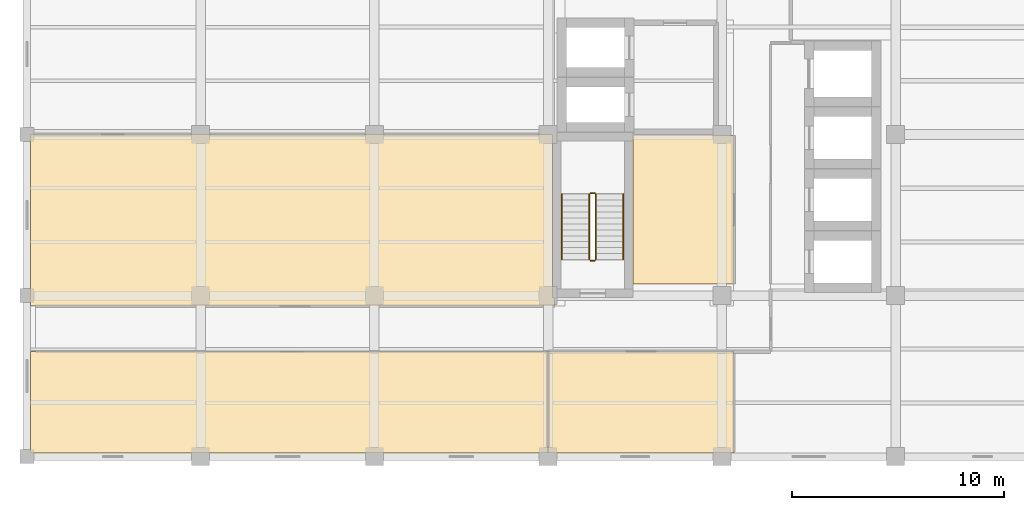
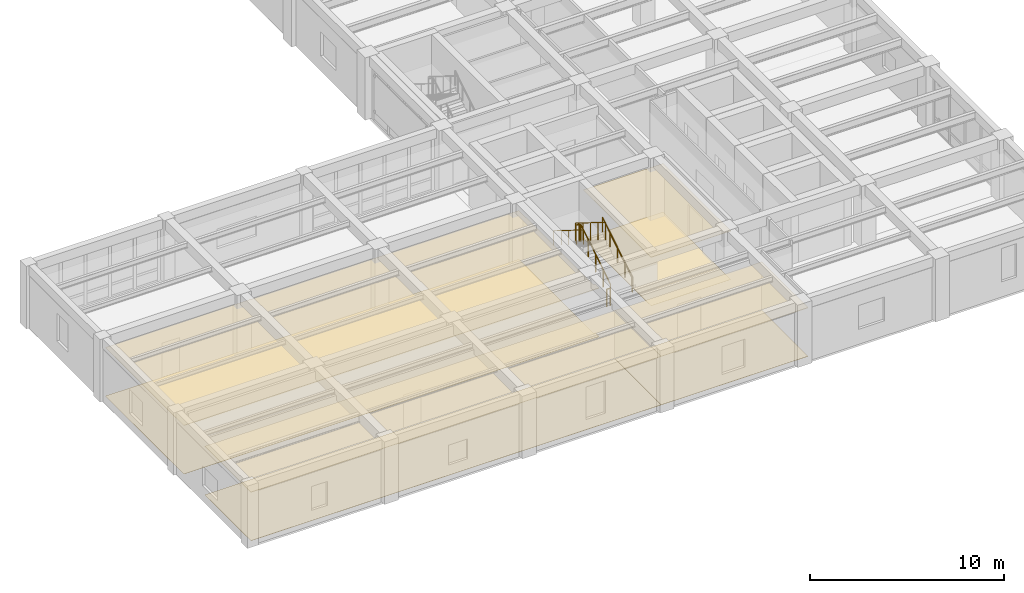
# One storey, part 12 of 16: 8 coverings, 6 railings.
"""IFC4 building model written with IfcOpenShell, lengths in metres."""

from ifc_helpers import new_model, si_unit, direction, frame, origin, origin_2d, place, context, subcontext, project, spatial, polyline, circle, outline, extrude, material, layer, layer_set, type_object, element, save


model = new_model("IFC4")

# Units and contexts
model_context = context("Model", 3, precision=1e-05, world=origin(), true_north=direction((0.0, 1.0)))
body_context = subcontext(model_context, "Body", "Model", "MODEL_VIEW")
ifc_project = project(units=[si_unit("LENGTHUNIT", "METRE"), si_unit("AREAUNIT", "SQUARE_METRE"), si_unit("VOLUMEUNIT", "CUBIC_METRE"), si_unit("PLANEANGLEUNIT", "RADIAN"), si_unit("MASSUNIT", "GRAM", prefix="KILO")], contexts=[model_context])

# Site, building, storey
site_placement = place(None, origin())
site = spatial("IfcSite", under=ifc_project, at=site_placement, CompositionType="ELEMENT")
building_placement = place(site_placement, origin())
building = spatial("IfcBuilding", under=site, at=building_placement, Name="Qandaris Square Conservatory and Botanical Centre", CompositionType="ELEMENT")
storey_placement = place(building_placement, frame((0.0, 0.0, 24.0)))
storey = spatial("IfcBuildingStorey", under=building, at=storey_placement, Name="L05", CompositionType="ELEMENT", Elevation=24.0)

# Coverings
ifc_material_1 = material(Name="Gypsum Plasterboard", Category="gypsum")
ifc_layer_1 = layer(ifc_material_1, 0.02490234375)
ifc_layer_set_1 = layer_set([ifc_layer_1], Name="Gypsum Plasterboard")
covering_type_1 = type_object("IfcCoveringType", Name="Perforated Acoustic Lab Ceiling Tile", PredefinedType="CEILING", material=ifc_layer_set_1)
covering_1_placement = place(storey_placement, frame((0.0, 0.0, 3.050048828125)))
element("IfcCovering", 1, at=covering_1_placement, inside=storey, type_object=covering_type_1, Name="Electrical and Telecom Riser Room L05 Ceiling", PredefinedType="CEILING", context=body_context, shape_type="SweptSolid", body=[
    extrude(outline(polyline([(147.949951171875, 31.75), (147.949951171875, 24.75), (143.199951171875, 24.75), (143.199951171875, 31.75), (147.949951171875, 31.75)])), origin(), (0.0, 0.0, 1.0), 0.02490234375),
])
covering_2_placement = place(storey_placement, frame((0.0, 0.0, 3.050048828125)))
element("IfcCovering", 2, at=covering_2_placement, inside=storey, type_object=covering_type_1, Name="Desert Mycology Research Laboratory Ceiling", PredefinedType="CEILING", context=body_context, shape_type="SweptSolid", body=[
    extrude(outline(polyline([(115.0, 21.550048828125), (139.199951171875, 21.550048828125), (139.199951171875, 16.780029296875), (114.780029296875, 16.780029296875), (114.780029296875, 21.550048828125), (115.0, 21.550048828125)])), origin(), (0.0, 0.0, 1.0), 0.02490234375),
])
covering_3_placement = place(storey_placement, frame((0.0, 0.0, 3.050048828125)))
element("IfcCovering", 3, at=covering_3_placement, inside=storey, type_object=covering_type_1, Name="Sabkha Ecology Suite Ceiling", PredefinedType="CEILING", context=body_context, shape_type="SweptSolid", body=[
    extrude(outline(polyline([(147.949951171875, 21.550048828125), (147.949951171875, 16.780029296875), (139.199951171875, 16.780029296875), (139.199951171875, 21.550048828125), (147.949951171875, 21.550048828125)])), origin(), (0.0, 0.0, 1.0), 0.02490234375),
])
covering_4_placement = place(storey_placement, frame((0.0, 0.0, 3.050048828125)))
element("IfcCovering", 4, at=covering_4_placement, inside=storey, type_object=covering_type_1, Name="Plant Physiology Research Laboratory South Ceiling", PredefinedType="CEILING", context=body_context, shape_type="SweptSolid", body=[
    extrude(outline(polyline([(139.5, 23.699951171875), (115.0, 23.699951171875), (114.780029296875, 23.699951171875), (114.780029296875, 31.800048828125), (139.39990234375, 31.800048828125), (139.39990234375, 24.10009765625), (139.5, 24.10009765625), (139.5, 23.699951171875)])), origin(), (0.0, 0.0, 1.0), 0.02490234375),
])
ifc_material_2 = material(Name="Epoxy Resin Screed", Category="finish")
ifc_layer_2 = layer(ifc_material_2, 0.014892578125)
ifc_layer_set_2 = layer_set([ifc_layer_2], Name="Epoxy Resin Screed")
covering_type_2 = type_object("IfcCoveringType", Name="Seamless Epoxy Laboratory Flooring", PredefinedType="FLOORING", material=ifc_layer_set_2)
covering_5_placement = place(storey_placement, origin())
element("IfcCovering", 5, at=covering_5_placement, inside=storey, type_object=covering_type_2, Name="Electrical and Telecom Riser Room L05 Flooring", PredefinedType="FLOORING", context=body_context, shape_type="SweptSolid", body=[
    extrude(outline(polyline([(147.949951171875, 31.75), (147.949951171875, 24.75), (143.199951171875, 24.75), (143.199951171875, 31.75), (147.949951171875, 31.75)])), origin(), (0.0, 0.0, 1.0), 0.014892578125),
])
covering_6_placement = place(storey_placement, origin())
element("IfcCovering", 6, at=covering_6_placement, inside=storey, type_object=covering_type_2, Name="Desert Mycology Research Laboratory Flooring", PredefinedType="FLOORING", context=body_context, shape_type="SweptSolid", body=[
    extrude(outline(polyline([(115.0, 21.550048828125), (139.199951171875, 21.550048828125), (139.199951171875, 16.780029296875), (114.780029296875, 16.780029296875), (114.780029296875, 21.550048828125), (115.0, 21.550048828125)])), origin(), (0.0, 0.0, 1.0), 0.014892578125),
])
covering_7_placement = place(storey_placement, origin())
element("IfcCovering", 7, at=covering_7_placement, inside=storey, type_object=covering_type_2, Name="Sabkha Ecology Suite Flooring", PredefinedType="FLOORING", context=body_context, shape_type="SweptSolid", body=[
    extrude(outline(polyline([(147.949951171875, 21.550048828125), (147.949951171875, 16.780029296875), (139.199951171875, 16.780029296875), (139.199951171875, 21.550048828125), (147.949951171875, 21.550048828125)])), origin(), (0.0, 0.0, 1.0), 0.014892578125),
])
covering_8_placement = place(storey_placement, origin())
element("IfcCovering", 8, at=covering_8_placement, inside=storey, type_object=covering_type_2, Name="Plant Physiology Research Laboratory South Flooring", PredefinedType="FLOORING", context=body_context, shape_type="SweptSolid", body=[
    extrude(outline(polyline([(139.5, 23.699951171875), (115.0, 23.699951171875), (114.780029296875, 23.699951171875), (114.780029296875, 31.800048828125), (139.39990234375, 31.800048828125), (139.39990234375, 24.10009765625), (139.5, 24.10009765625), (139.5, 23.699951171875)])), origin(), (0.0, 0.0, 1.0), 0.014892578125),
])

# Railings
ifc_material_3 = material(Name="Stainless Steel", Category="steel")
railing_type_1 = type_object("IfcRailingType", Name="Stair Tubular Handrail 920mm", PredefinedType="HANDRAIL", material=ifc_material_3)
railing_1_placement = place(storey_placement, frame((142.75, 25.89990234375, 0.35009765625)))
element("IfcRailing", 9, at=railing_1_placement, inside=storey, type_object=railing_type_1, Name="L05 ST-1 stair handrail 1", PredefinedType="HANDRAIL", context=body_context, shape_type="SweptSolid", body=[
    extrude(circle(Radius=0.02392578125, at=origin_2d()), frame((0.0, 0.0, 0.89599609375), z_axis=(0.0, 0.848028513186, 0.529950602248), x_axis=(-1.0, 0.0, 0.0)), (0.0, 0.0, 1.0), 3.632080078125),
    extrude(circle(Radius=0.02099609375, at=origin_2d()), origin(), (0.0, 0.0, 1.0), 0.871826171875),
    extrude(circle(Radius=0.02099609375, at=origin_2d()), frame((0.0, 0.77001953125, 0.481201171875)), (0.0, 0.0, 1.0), 0.871826171875),
    extrude(circle(Radius=0.02099609375, at=origin_2d()), frame((0.0, 1.5400390625, 0.96240234375)), (0.0, 0.0, 1.0), 0.871826171875),
    extrude(circle(Radius=0.02099609375, at=origin_2d()), frame((0.0, 2.31005859375, 1.443603515625)), (0.0, 0.0, 1.0), 0.871826171875),
    extrude(circle(Radius=0.02099609375, at=origin_2d()), frame((0.0, 3.080078125, 1.9248046875)), (0.0, 0.0, 1.0), 0.871826171875),
])
railing_2_placement = place(storey_placement, frame((139.85009765625, 28.97998046875, 2.449951171875)))
element("IfcRailing", 10, at=railing_2_placement, inside=storey, type_object=railing_type_1, Name="L05 ST-1 stair handrail 2", PredefinedType="HANDRAIL", context=body_context, shape_type="SweptSolid", body=[
    extrude(circle(Radius=0.02392578125, at=origin_2d()), frame((0.0, 0.0, 0.89599609375), z_axis=(0.0, -0.847998304005, 0.529998940003), x_axis=(1.0, 0.0, 0.0)), (0.0, 0.0, 1.0), 3.632080078125),
    extrude(circle(Radius=0.02099609375, at=origin_2d()), origin(), (0.0, 0.0, 1.0), 0.871826171875),
    extrude(circle(Radius=0.02099609375, at=origin_2d()), frame((0.0, -0.77001953125, 0.481201171875)), (0.0, 0.0, 1.0), 0.871826171875),
    extrude(circle(Radius=0.02099609375, at=origin_2d()), frame((0.0, -1.5400390625, 0.96240234375)), (0.0, 0.0, 1.0), 0.871826171875),
    extrude(circle(Radius=0.02099609375, at=origin_2d()), frame((0.0, -2.31005859375, 1.44384765625)), (0.0, 0.0, 1.0), 0.871826171875),
    extrude(circle(Radius=0.02099609375, at=origin_2d()), frame((0.0, -3.080078125, 1.925048828125)), (0.0, 0.0, 1.0), 0.871826171875),
])
railing_type_2 = type_object("IfcRailingType", Name="Stairwell & Atrium Guardrail 1120mm", PredefinedType="GUARDRAIL", material=ifc_material_3)
railing_3_placement = place(storey_placement, frame((141.449951171875, 25.89990234375, 0.175048828125)))
element("IfcRailing", 11, at=railing_3_placement, inside=storey, type_object=railing_type_2, Name="L05 ST-1 stair guard 1", PredefinedType="GUARDRAIL", context=body_context, shape_type="SweptSolid", body=[
    extrude(circle(Radius=0.02392578125, at=origin_2d()), frame((0.0, 0.0, 1.09619140625), z_axis=(0.0, 0.847998304005, 0.529998940003), x_axis=(-1.0, 0.0, 0.0)), (0.0, 0.0, 1.0), 3.632080078125),
    extrude(circle(Radius=0.02099609375, at=origin_2d()), origin(), (0.0, 0.0, 1.0), 1.072021484375),
    extrude(circle(Radius=0.02099609375, at=origin_2d()), frame((0.0, 0.77001953125, 0.481201171875)), (0.0, 0.0, 1.0), 1.072021484375),
    extrude(circle(Radius=0.02099609375, at=origin_2d()), frame((0.0, 1.5400390625, 0.96240234375)), (0.0, 0.0, 1.0), 1.072021484375),
    extrude(circle(Radius=0.02099609375, at=origin_2d()), frame((0.0, 2.31005859375, 1.44384765625)), (0.0, 0.0, 1.0), 1.072021484375),
    extrude(circle(Radius=0.02099609375, at=origin_2d()), frame((0.0, 3.080078125, 1.925048828125)), (0.0, 0.0, 1.0), 1.072021484375),
])
railing_4_placement = place(storey_placement, frame((141.39990234375, 29.030029296875, 2.10009765625)))
element("IfcRailing", 12, at=railing_4_placement, inside=storey, type_object=railing_type_2, Name="L05 ST-1 stair guard 2", PredefinedType="GUARDRAIL", context=body_context, shape_type="SweptSolid", body=[
    extrude(circle(Radius=0.02392578125, at=origin_2d()), frame((0.0, 0.0, 1.09619140625), z_axis=(-1.0, 0.0, 0.0), x_axis=(0.0, -1.0, 0.0)), (0.0, 0.0, 1.0), 0.199951171875),
    extrude(circle(Radius=0.02099609375, at=origin_2d()), origin(), (0.0, 0.0, 1.0), 1.072021484375),
    extrude(circle(Radius=0.02099609375, at=origin_2d()), frame((-0.199951171875, 0.0, 0.0)), (0.0, 0.0, 1.0), 1.072021484375),
])
railing_5_placement = place(storey_placement, frame((141.14990234375, 28.97998046875, 2.27490234375)))
element("IfcRailing", 13, at=railing_5_placement, inside=storey, type_object=railing_type_2, Name="L05 ST-1 stair guard 3", PredefinedType="GUARDRAIL", context=body_context, shape_type="SweptSolid", body=[
    extrude(circle(Radius=0.02392578125, at=origin_2d()), frame((0.0, 0.0, 1.09619140625), z_axis=(0.0, -0.847998304005, 0.529998940003), x_axis=(1.0, 0.0, 0.0)), (0.0, 0.0, 1.0), 3.632080078125),
    extrude(circle(Radius=0.02099609375, at=origin_2d()), origin(), (0.0, 0.0, 1.0), 1.072021484375),
    extrude(circle(Radius=0.02099609375, at=origin_2d()), frame((0.0, -0.77001953125, 0.481201171875)), (0.0, 0.0, 1.0), 1.072021484375),
    extrude(circle(Radius=0.02099609375, at=origin_2d()), frame((0.0, -1.5400390625, 0.96240234375)), (0.0, 0.0, 1.0), 1.072021484375),
    extrude(circle(Radius=0.02099609375, at=origin_2d()), frame((0.0, -2.31005859375, 1.44384765625)), (0.0, 0.0, 1.0), 1.072021484375),
    extrude(circle(Radius=0.02099609375, at=origin_2d()), frame((0.0, -3.080078125, 1.925048828125)), (0.0, 0.0, 1.0), 1.072021484375),
])
railing_6_placement = place(storey_placement, frame((141.39990234375, 25.85009765625, 0.0)))
element("IfcRailing", 14, at=railing_6_placement, inside=storey, type_object=railing_type_2, Name="L05 ST-1 stair guard 4", PredefinedType="GUARDRAIL", context=body_context, shape_type="SweptSolid", body=[
    extrude(circle(Radius=0.02392578125, at=origin_2d()), frame((0.0, 0.0, 1.09619140625), z_axis=(-1.0, 0.0, 0.0), x_axis=(0.0, -1.0, 0.0)), (0.0, 0.0, 1.0), 0.199951171875),
    extrude(circle(Radius=0.02099609375, at=origin_2d()), origin(), (0.0, 0.0, 1.0), 1.072021484375),
    extrude(circle(Radius=0.02099609375, at=origin_2d()), frame((-0.199951171875, 0.0, 0.0)), (0.0, 0.0, 1.0), 1.072021484375),
])

save(model, "model.ifc")
